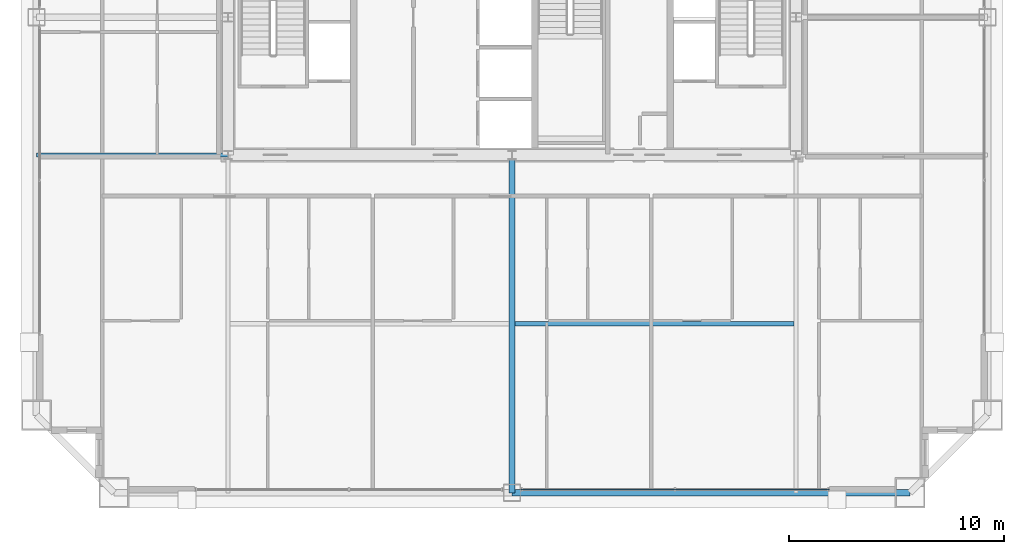
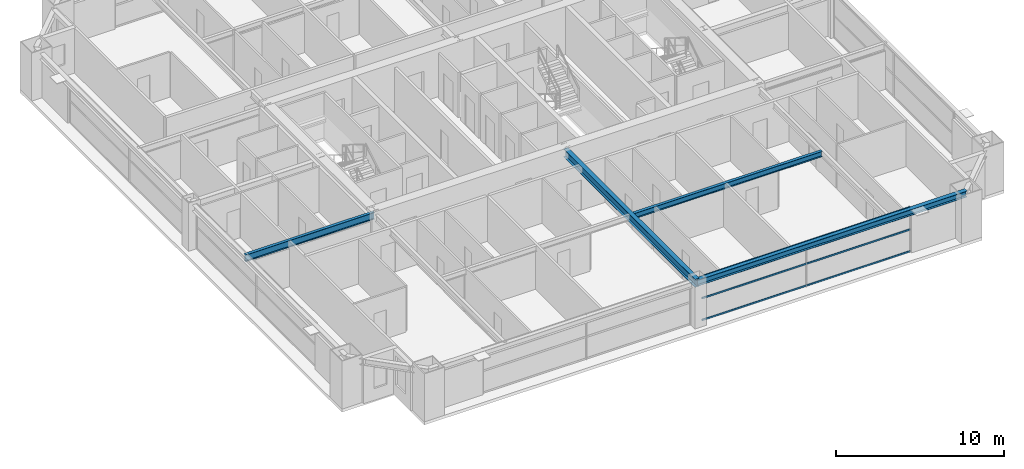
# One storey, part 11 of 38: 4 beams, 3 members, 1 element without a shape of its own.
"""IFC4 building model written with IfcOpenShell, lengths in metres."""

from ifc_helpers import new_model, si_unit, direction, frame, origin, origin_2d, place, context, subcontext, project, spatial, hollow_rectangle, i_section, extrude, source, transform, mapped, material, layer, layer_set, material_profile, profile_set, type_object, element, aggregate, save


model = new_model("IFC4")

# Units and contexts
model_context = context("Model", 3, precision=1e-05, world=origin(), true_north=direction((0.0, 1.0)))
body_context = subcontext(model_context, "Body", "Model", "MODEL_VIEW")
ifc_project = project(units=[si_unit("LENGTHUNIT", "METRE"), si_unit("AREAUNIT", "SQUARE_METRE"), si_unit("VOLUMEUNIT", "CUBIC_METRE"), si_unit("PLANEANGLEUNIT", "RADIAN"), si_unit("MASSUNIT", "GRAM", prefix="KILO"), si_unit("THERMODYNAMICTEMPERATUREUNIT", "KELVIN"), si_unit("POWERUNIT", "WATT")], contexts=[model_context])

# Site, building, storey
site_placement = place(None, origin())
site = spatial("IfcSite", under=ifc_project, at=site_placement, CompositionType="ELEMENT")
building_placement = place(site_placement, origin())
building = spatial("IfcBuilding", under=site, at=building_placement, Name="Yuzanri Waterfront Tower", CompositionType="ELEMENT")
storey_placement = place(building_placement, frame((0.0, 0.0, 202.0)))
storey = spatial("IfcBuildingStorey", under=building, at=storey_placement, Name="L53", CompositionType="ELEMENT", Elevation=202.0)

# Beams
ifc_material_1 = material(Name="Steel Q355B", Category="steel")
ifc_material_profile_1 = material_profile(ifc_material_1, i_section(OverallWidth=0.199951171875, OverallDepth=0.39990234375, WebThickness=0.008056640625, FlangeThickness=0.012939453125, at=origin_2d()), Name="HN 400x200x8x13")
ifc_profile_set_1 = profile_set([ifc_material_profile_1], Name="Steel Q355B")
beam_type_1 = type_object("IfcBeamType", Name="Floor Joist Q355B HN 400x200", PredefinedType="JOIST", material=ifc_profile_set_1)
shared_shape_1 = source(origin(), body_context, "Body", "SweptSolid", [
    extrude(i_section(OverallWidth=0.199951171875, OverallDepth=0.39990234375, WebThickness=0.008056640625, FlangeThickness=0.012939453125, at=origin_2d()), origin(), (0.0, 0.0, 1.0), 12.9501953125),
])
beam_1_placement = place(storey_placement, frame((37.14990234375, 11.550048828125, 3.080078125), z_axis=(1.0, 0.0, 0.0), x_axis=(0.0, 1.0, 0.0)))
element("IfcBeam", 1, at=beam_1_placement, inside=storey, type_object=beam_type_1, Name="L53 South Bay Joist E", PredefinedType="JOIST", context=body_context, shape_type="MappedRepresentation", body=[
    mapped(shared_shape_1, transform((0.0, 0.0, 0.0), scale=1.0)),
])
ifc_material_2 = material(Name="Steel Q355B", Category="steel")
ifc_material_profile_2 = material_profile(ifc_material_2, i_section(OverallWidth=0.300048828125, OverallDepth=0.43994140625, WebThickness=0.010986328125, FlangeThickness=0.01806640625, at=origin_2d()), Name="HM 440x300x11x18")
ifc_profile_set_2 = profile_set([ifc_material_profile_2], Name="Steel Q355B")
beam_type_2 = type_object("IfcBeamType", Name="Perimeter Spandrel Q355B HM 440x300", PredefinedType="SPANDREL", material=ifc_profile_set_2)
shared_shape_2 = source(origin(), body_context, "Body", "SweptSolid", [
    extrude(i_section(OverallWidth=0.300048828125, OverallDepth=0.43994140625, WebThickness=0.010986328125, FlangeThickness=0.01806640625, at=origin_2d()), origin(), (0.0, 0.0, 1.0), 18.5),
])
beam_2_placement = place(storey_placement, frame((37.0, 3.699951171875, 3.06005859375), z_axis=(1.0, 0.0, 0.0), x_axis=(0.0, 1.0, 0.0)))
element("IfcBeam", 2, at=beam_2_placement, inside=storey, type_object=beam_type_2, Name="L53 Perimeter Spandrel S2-S3", PredefinedType="SPANDREL", context=body_context, shape_type="MappedRepresentation", body=[
    mapped(shared_shape_2, transform((0.0, 0.0, 0.0), scale=1.0)),
])
ifc_material_3 = material(Name="Steel Q355B", Category="steel")
ifc_material_profile_3 = material_profile(ifc_material_3, i_section(OverallWidth=0.300048828125, OverallDepth=0.587890625, WebThickness=0.011962890625, FlangeThickness=0.02001953125, at=origin_2d()), Name="HM 588x300x12x20")
ifc_profile_set_3 = profile_set([ifc_material_profile_3], Name="Steel Q355B")
beam_type_3 = type_object("IfcBeamType", Name="Primary Floor Girder Q355B HM 588x300", PredefinedType="BEAM", material=ifc_profile_set_3)
shared_shape_3 = source(origin(), body_context, "Body", "SweptSolid", [
    extrude(i_section(OverallWidth=0.300048828125, OverallDepth=0.587890625, WebThickness=0.011962890625, FlangeThickness=0.02001953125, at=origin_2d()), origin(), (0.0, 0.0, 1.0), 15.699951171875),
])
beam_3_placement = place(storey_placement, frame((37.0, 19.39990234375, 2.986083984375), z_axis=(0.0, -1.0, 0.0), x_axis=(1.0, 0.0, 0.0)))
element("IfcBeam", 3, at=beam_3_placement, inside=storey, type_object=beam_type_3, Name="L53 South Grid Girder", PredefinedType="BEAM", context=body_context, shape_type="MappedRepresentation", body=[
    mapped(shared_shape_3, transform((0.0, 0.0, 0.0), scale=1.0)),
])
ifc_material_4 = material(Name="Steel Q355B", Category="steel")
ifc_material_profile_4 = material_profile(ifc_material_4, i_section(OverallWidth=0.199951171875, OverallDepth=0.5, WebThickness=0.010009765625, FlangeThickness=0.01611328125, at=origin_2d()), Name="HN 500x200x10x16")
ifc_profile_set_4 = profile_set([ifc_material_profile_4], Name="Steel Q355B")
beam_type_4 = type_object("IfcBeamType", Name="Secondary Floor Beam Q355B HN 500x200", PredefinedType="BEAM", material=ifc_profile_set_4)
shared_shape_4 = source(origin(), body_context, "Body", "SweptSolid", [
    extrude(i_section(OverallWidth=0.199951171875, OverallDepth=0.5, WebThickness=0.010009765625, FlangeThickness=0.01611328125, at=origin_2d()), origin(), (0.0, 0.0, 1.0), 8.900146484375),
])
beam_4_placement = place(storey_placement, frame((23.800048828125, 19.39990234375, 3.030029296875), z_axis=(-1.0, 0.0, 0.0), x_axis=(0.0, -1.0, 0.0)))
element("IfcBeam", 4, at=beam_4_placement, inside=storey, type_object=beam_type_4, Name="L53 West-South Core Line Beam", PredefinedType="BEAM", context=body_context, shape_type="MappedRepresentation", body=[
    mapped(shared_shape_4, transform((0.0, 0.0, 0.0), scale=1.0)),
])

# Curtain wall, members
ifc_material_5 = material(Name="Anodized Architectural Bronze", Category="metal")
ifc_layer = layer(ifc_material_5, 0.159912109375)
ifc_layer_set = layer_set([ifc_layer], Name="Anodized Architectural Bronze")
curtain_wall_type = type_object("IfcCurtainWallType", Name="Anodized Bronze Mid-Rise Residential Acoustic Unitized Curtain Wall 7200", PredefinedType="NOTDEFINED", material=ifc_layer_set)
curtain_wall_placement = place(storey_placement, origin())
curtain_wall = element("IfcCurtainWall", 5, at=curtain_wall_placement, inside=storey, type_object=curtain_wall_type, Name="L53 Curtain Wall CW-L53-SR", PredefinedType="NOTDEFINED")
ifc_material_6 = material(Name="Anodized Architectural Bronze", Category="metal")
ifc_material_profile_5 = material_profile(ifc_material_6, hollow_rectangle(XDim=0.06494140625, YDim=0.1201171875, WallThickness=0.00341796875, at=origin_2d()), Name="CWT 65x120")
ifc_profile_set_5 = profile_set([ifc_material_profile_5], Name="Anodized Architectural Bronze")
member_type = type_object("IfcMemberType", Name="Anodized Bronze Secondary Curtain-Wall Transom 65x120", PredefinedType="USERDEFINED", material=ifc_profile_set_5)
shared_shape_5 = source(origin(), body_context, "Body", "SweptSolid", [
    extrude(hollow_rectangle(XDim=0.06494140625, YDim=0.1201171875, WallThickness=0.00341796875, at=origin_2d()), origin(), (0.0, 0.0, 1.0), 14.35009765625),
])
member_1_placement = place(storey_placement, frame((37.39990234375, 3.85009765625, 0.050048828125), z_axis=(1.0, 0.0, 0.0), x_axis=(0.0, 1.0, 0.0)))
member_1 = element("IfcMember", 6, at=member_1_placement, type_object=member_type, Name="CW-L53-SR Transom 1", ObjectType="TRANSOM", PredefinedType="USERDEFINED", context=body_context, shape_type="MappedRepresentation", body=[
    mapped(shared_shape_5, transform((0.0, 0.0, 0.0), scale=1.0)),
])
member_2_placement = place(storey_placement, frame((37.39990234375, 3.85009765625, 1.639892578125), z_axis=(1.0, 0.0, 0.0), x_axis=(0.0, 1.0, 0.0)))
member_2 = element("IfcMember", 7, at=member_2_placement, type_object=member_type, Name="CW-L53-SR Transom 2", ObjectType="TRANSOM", PredefinedType="USERDEFINED", context=body_context, shape_type="MappedRepresentation", body=[
    mapped(shared_shape_5, transform((0.0, 0.0, 0.0), scale=1.0)),
])
member_3_placement = place(storey_placement, frame((37.39990234375, 3.85009765625, 3.22998046875), z_axis=(1.0, 0.0, 0.0), x_axis=(0.0, 1.0, 0.0)))
member_3 = element("IfcMember", 8, at=member_3_placement, type_object=member_type, Name="CW-L53-SR Transom 3", ObjectType="TRANSOM", PredefinedType="USERDEFINED", context=body_context, shape_type="MappedRepresentation", body=[
    mapped(shared_shape_5, transform((0.0, 0.0, 0.0), scale=1.0)),
])
aggregate(curtain_wall, [member_1, member_2, member_3])

save(model, "model.ifc")
